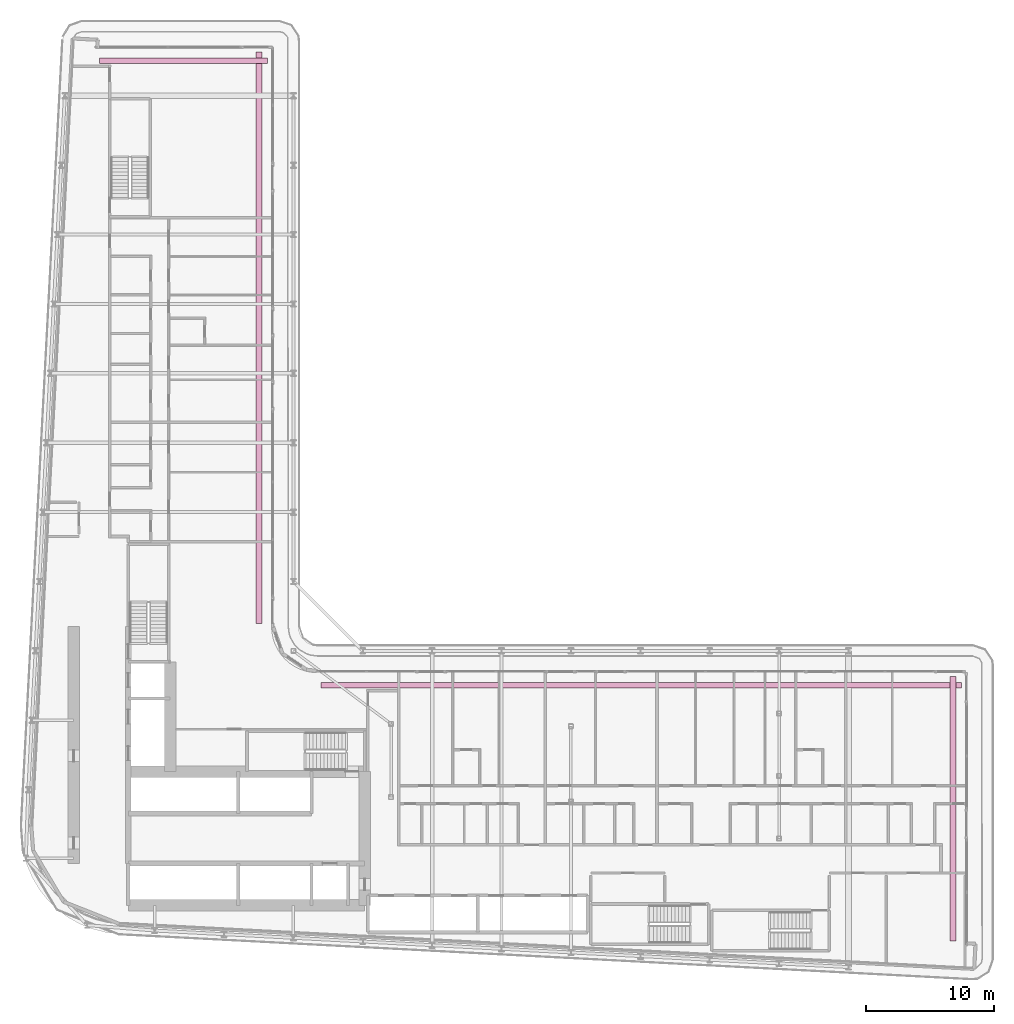
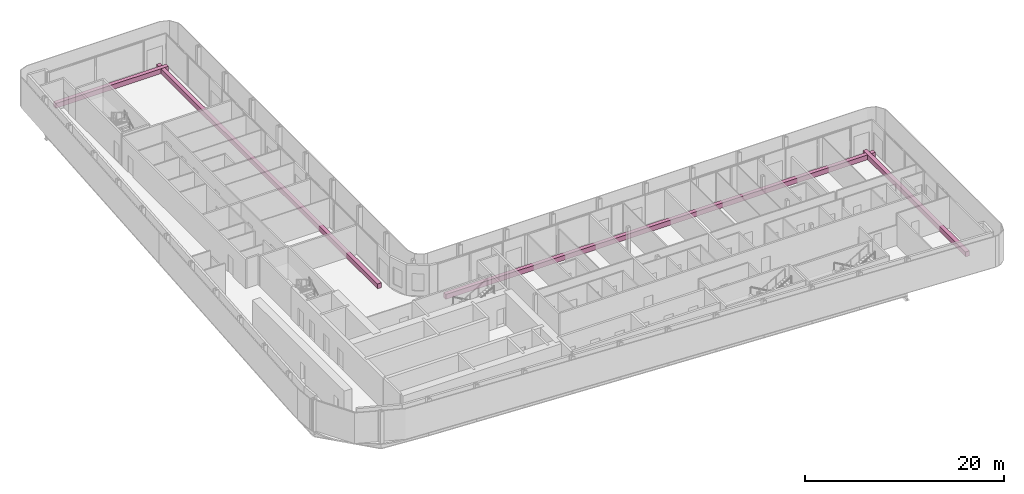
# One storey, part 25 of 25: 4 furniture elements.
"""IFC4 building model written with IfcOpenShell, lengths in metres."""

from ifc_helpers import new_model, si_unit, direction, frame, origin, origin_2d, place, context, subcontext, project, spatial, rectangle, extrude, material, type_object, element, save


model = new_model("IFC4")

# Units and contexts
model_context = context("Model", 3, precision=1e-05, world=origin(), true_north=direction((0.0, 1.0)))
body_context = subcontext(model_context, "Body", "Model", "MODEL_VIEW")
ifc_project = project(units=[si_unit("LENGTHUNIT", "METRE"), si_unit("AREAUNIT", "SQUARE_METRE"), si_unit("VOLUMEUNIT", "CUBIC_METRE"), si_unit("PLANEANGLEUNIT", "RADIAN"), si_unit("MASSUNIT", "GRAM", prefix="KILO")], contexts=[model_context])

# Site, building, storey
site_placement = place(None, origin())
site = spatial("IfcSite", under=ifc_project, at=site_placement, CompositionType="ELEMENT")
building_placement = place(site_placement, origin())
building = spatial("IfcBuilding", under=site, at=building_placement, Name="Kheshtan School and Residences Tower", CompositionType="ELEMENT")
storey_placement = place(building_placement, frame((0.0, 0.0, 109.699951171875)))
storey = spatial("IfcBuildingStorey", under=building, at=storey_placement, Name="L25", CompositionType="ELEMENT", Elevation=109.699951171875)

# Furniture
ifc_material = material(Name="Precast concrete C30/37 in terracotta finish", Category="masonry")
furniture_type = type_object("IfcFurnitureType", Name="Planter trough", AssemblyPlace="NOTDEFINED", PredefinedType="USERDEFINED", material=ifc_material)
furniture_1_placement = place(storey_placement, frame((39.053955078125, 91.52490234375, 0.0), z_axis=(0.0, 0.0, 1.0), x_axis=(1.0, 0.0, 0.0)))
element("IfcFurniture", 1, at=furniture_1_placement, inside=storey, type_object=furniture_type, Name="Planter L25", ObjectType="PLANTER", PredefinedType="USERDEFINED", context=body_context, shape_type="SweptSolid", body=[
    extrude(rectangle(XDim=13.092041015625, YDim=0.449951171875, at=origin_2d()), origin(), (0.0, 0.0, 1.0), 0.60009765625),
])
furniture_2_placement = place(storey_placement, frame((44.925048828125, 69.965087890625, 0.0), z_axis=(0.0, 0.0, 1.0), x_axis=(0.0, -1.0, 0.0)))
element("IfcFurniture", 2, at=furniture_2_placement, inside=storey, type_object=furniture_type, Name="Planter L25", ObjectType="PLANTER", PredefinedType="USERDEFINED", context=body_context, shape_type="SweptSolid", body=[
    extrude(rectangle(XDim=44.469970703125, YDim=0.449951171875, at=origin_2d()), origin(), (0.0, 0.0, 1.0), 0.60009765625),
])
furniture_3_placement = place(storey_placement, frame((74.6650390625, 42.925048828125, 0.0), z_axis=(0.0, 0.0, 1.0), x_axis=(1.0, 0.0, 0.0)))
element("IfcFurniture", 3, at=furniture_3_placement, inside=storey, type_object=furniture_type, Name="Planter L25", ObjectType="PLANTER", PredefinedType="USERDEFINED", context=body_context, shape_type="SweptSolid", body=[
    extrude(rectangle(XDim=49.8701171875, YDim=0.449951171875, at=origin_2d()), origin(), (0.0, 0.0, 1.0), 0.60009765625),
])
furniture_4_placement = place(storey_placement, frame((98.925048828125, 33.306884765625, 0.0), z_axis=(0.0, 0.0, 1.0), x_axis=(0.0, -1.0, 0.0)))
element("IfcFurniture", 4, at=furniture_4_placement, inside=storey, type_object=furniture_type, Name="Planter L25", ObjectType="PLANTER", PredefinedType="USERDEFINED", context=body_context, shape_type="SweptSolid", body=[
    extrude(rectangle(XDim=20.5859375, YDim=0.449951171875, at=origin_2d()), origin(), (0.0, 0.0, 1.0), 0.60009765625),
])

save(model, "model.ifc")
